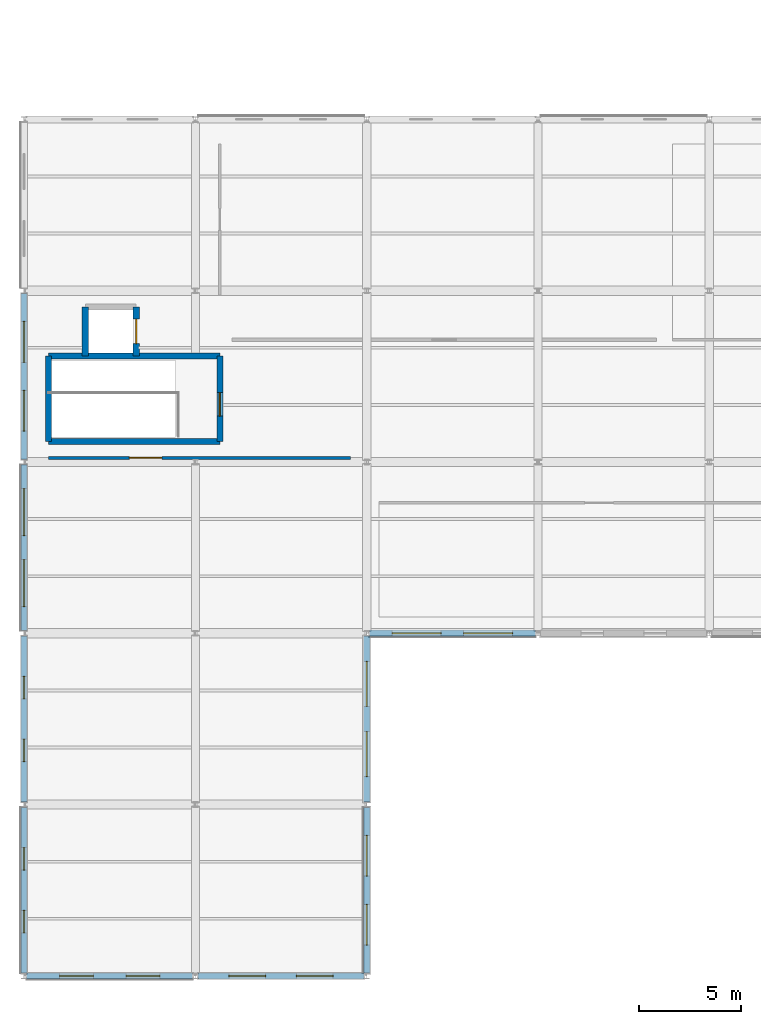
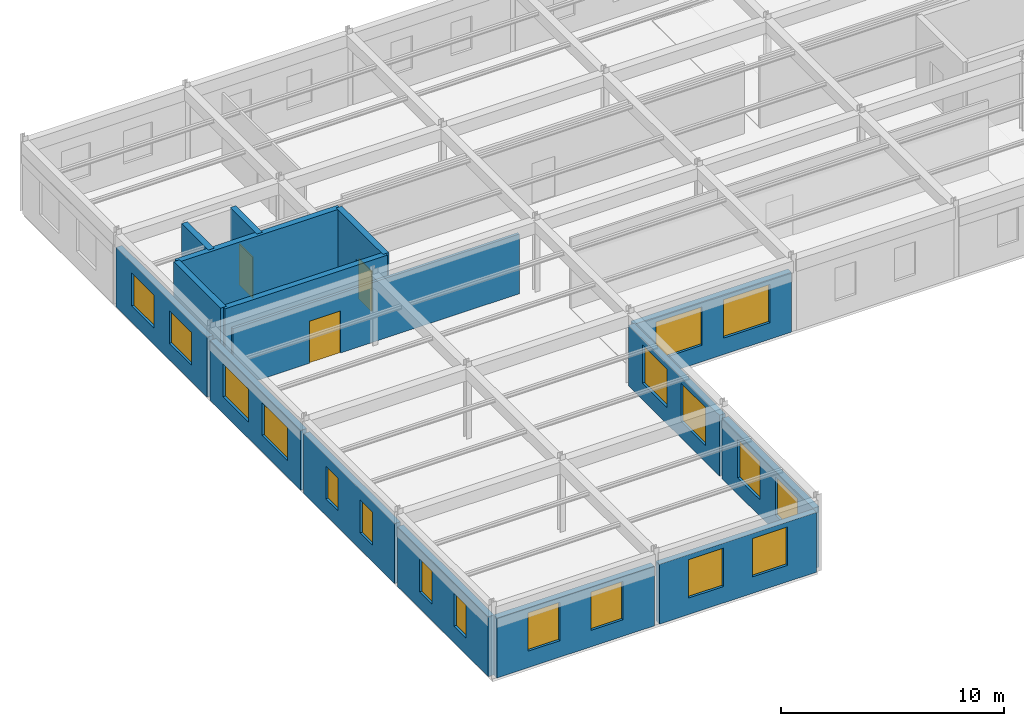
# One storey, part 66 of 83: 18 windows, 16 walls, 3 doors, 21 openings.
"""IFC4 building model written with IfcOpenShell, lengths in metres."""

from ifc_helpers import new_model, si_unit, direction, frame, frame_2d, origin, place, context, subcontext, project, spatial, rectangle, extrude, material, layer, layer_set, type_object, element, fill, save


model = new_model("IFC4")

# Units and contexts
model_context = context("Model", 3, precision=1e-05, world=origin(), true_north=direction((0.0, 1.0)))
body_context = subcontext(model_context, "Body", "Model", "MODEL_VIEW")
ifc_project = project(units=[si_unit("LENGTHUNIT", "METRE"), si_unit("AREAUNIT", "SQUARE_METRE"), si_unit("VOLUMEUNIT", "CUBIC_METRE"), si_unit("PLANEANGLEUNIT", "RADIAN"), si_unit("MASSUNIT", "GRAM", prefix="KILO"), si_unit("THERMODYNAMICTEMPERATUREUNIT", "KELVIN"), si_unit("POWERUNIT", "WATT")], contexts=[model_context])

# Site, building, storey
site_placement = place(None, origin())
site = spatial("IfcSite", under=ifc_project, at=site_placement, CompositionType="ELEMENT")
building_placement = place(site_placement, origin())
building = spatial("IfcBuilding", under=site, at=building_placement, Name="Darbajah Civic Hall", CompositionType="ELEMENT")
storey_placement = place(building_placement, frame((0.0, 0.0, 18.0)))
storey = spatial("IfcBuildingStorey", under=building, at=storey_placement, Name="L04", CompositionType="ELEMENT", Elevation=18.0)

# Wall
ifc_material_1 = material(Name="Concrete C45/55", Category="concrete")
ifc_layer_1 = layer(ifc_material_1, 0.300048828125, Name="Concrete C45/55")
ifc_layer_set_1 = layer_set([ifc_layer_1], Name="Concrete C45/55")
wall_type_1 = type_object("IfcWallType", Name="Core Shear Wall 300mm", PredefinedType="SHEAR", material=ifc_layer_set_1)
wall_1_placement = place(storey_placement, frame((1.199951171875, 26.199951171875, 0.0), z_axis=(0.0, 0.0, 1.0), x_axis=(1.0, 0.0, 0.0)))
element("IfcWall", 1, at=wall_1_placement, inside=storey, type_object=wall_type_1, Name="L04 core C10 shear wall S", PredefinedType="SHEAR", context=body_context, shape_type="SweptSolid", body=[
    extrude(rectangle(XDim=8.400146484375, YDim=0.300048828125, at=frame_2d((4.2001953125, 0.0))), origin(), (0.0, 0.0, 1.0), 3.919921875),
])

# Wall, opening, door
wall_2_placement = place(storey_placement, frame((9.60009765625, 26.199951171875, 0.0), z_axis=(0.0, 0.0, 1.0), x_axis=(0.0, 1.0, 0.0)))
wall_2 = element("IfcWall", 2, at=wall_2_placement, inside=storey, type_object=wall_type_1, Name="L04 core C10 shear wall E", PredefinedType="SHEAR", context=body_context, shape_type="SweptSolid", body=[
    extrude(rectangle(XDim=4.199951171875, YDim=0.300048828125, at=frame_2d((2.10009765625, 0.0))), origin(), (0.0, 0.0, 1.0), 3.919921875),
])
opening_1_placement = place(wall_2_placement, frame((1.25, 0.0, 0.0)))
opening_1 = element("IfcOpeningElement", 3, at=opening_1_placement, cuts=wall_2, Name="Opening SD-0113", PredefinedType="OPENING", context=body_context, shape_type="SweptSolid", body=[
    extrude(rectangle(XDim=1.14990234375, YDim=2.199951171875, at=frame_2d((0.574951171875, 1.10009765625))), frame((0.0, 0.159912109375, 0.0), z_axis=(0.0, -1.0, 0.0), x_axis=(1.0, 0.0, 0.0)), (0.0, 0.0, 1.0), 0.320068359375),
])
ifc_material_2 = material(Name="Steel Rated Core Door", Category="steel")
door_type_1 = type_object("IfcDoorType", Name="Interior Door 1150x2200", OperationType="NOTDEFINED", PredefinedType="DOOR", material=ifc_material_2)
door_1_placement = place(opening_1_placement, origin())
door_1 = element("IfcDoor", 4, at=door_1_placement, inside=storey, type_object=door_type_1, Name="L04 stair ST10 fire door SD-0113", OperationType="SINGLE_SWING_RIGHT", OverallHeight=2.199951171875, OverallWidth=1.14990234375, PredefinedType="DOOR", context=body_context, shape_type="SweptSolid", body=[
    extrude(rectangle(XDim=1.14990234375, YDim=2.199951171875, at=frame_2d((0.574951171875, 1.10009765625))), frame((0.0, 0.02490234375, 0.0), z_axis=(0.0, -1.0, 0.0), x_axis=(1.0, 0.0, 0.0)), (0.0, 0.0, 1.0), 0.050048828125),
])
fill(opening_1, door_1)

# Walls
wall_3_placement = place(storey_placement, frame((9.60009765625, 30.39990234375, 0.0), z_axis=(0.0, 0.0, 1.0), x_axis=(-1.0, 0.0, 0.0)))
element("IfcWall", 5, at=wall_3_placement, inside=storey, type_object=wall_type_1, Name="L04 core C10 shear wall N", PredefinedType="SHEAR", context=body_context, shape_type="SweptSolid", body=[
    extrude(rectangle(XDim=8.400146484375, YDim=0.300048828125, at=frame_2d((4.2001953125, 0.0))), origin(), (0.0, 0.0, 1.0), 3.919921875),
])
wall_4_placement = place(storey_placement, frame((1.199951171875, 30.39990234375, 0.0), z_axis=(0.0, 0.0, 1.0), x_axis=(0.0, -1.0, 0.0)))
element("IfcWall", 6, at=wall_4_placement, inside=storey, type_object=wall_type_1, Name="L04 core C10 shear wall W", PredefinedType="SHEAR", context=body_context, shape_type="SweptSolid", body=[
    extrude(rectangle(XDim=4.199951171875, YDim=0.300048828125, at=frame_2d((2.10009765625, 0.0))), origin(), (0.0, 0.0, 1.0), 3.919921875),
])
wall_5_placement = place(storey_placement, frame((3.0, 32.800048828125, 0.0), z_axis=(0.0, 0.0, 1.0), x_axis=(0.0, -1.0, 0.0)))
element("IfcWall", 7, at=wall_5_placement, inside=storey, type_object=wall_type_1, Name="L04 lift PL5 shaft wall W", PredefinedType="SHEAR", context=body_context, shape_type="SweptSolid", body=[
    extrude(rectangle(XDim=2.400146484375, YDim=0.300048828125, at=frame_2d((1.2001953125, 0.0))), origin(), (0.0, 0.0, 1.0), 3.919921875),
])

# Wall, opening, door
wall_6_placement = place(storey_placement, frame((5.5, 30.39990234375, 0.0), z_axis=(0.0, 0.0, 1.0), x_axis=(0.0, 1.0, 0.0)))
wall_6 = element("IfcWall", 8, at=wall_6_placement, inside=storey, type_object=wall_type_1, Name="L04 lift PL5 shaft wall E", PredefinedType="SHEAR", context=body_context, shape_type="SweptSolid", body=[
    extrude(rectangle(XDim=2.400146484375, YDim=0.300048828125, at=frame_2d((1.2001953125, 0.0))), origin(), (0.0, 0.0, 1.0), 3.919921875),
])
opening_2_placement = place(wall_6_placement, frame((0.60009765625, 0.0, 0.0)))
opening_2 = element("IfcOpeningElement", 9, at=opening_2_placement, cuts=wall_6, Name="Opening LD-0119", PredefinedType="OPENING", context=body_context, shape_type="SweptSolid", body=[
    extrude(rectangle(XDim=1.199951171875, YDim=2.25, at=frame_2d((0.60009765625, 1.125))), frame((0.0, 0.159912109375, 0.0), z_axis=(0.0, -1.0, 0.0), x_axis=(1.0, 0.0, 0.0)), (0.0, 0.0, 1.0), 0.320068359375),
])
ifc_material_3 = material(Name="Stainless Lift Landing Door")
door_type_2 = type_object("IfcDoorType", Name="Lift Landing Door 1200x2250", OperationType="SLIDING_TO_LEFT", PredefinedType="DOOR", material=ifc_material_3)
door_2_placement = place(opening_2_placement, origin())
door_2 = element("IfcDoor", 10, at=door_2_placement, inside=storey, type_object=door_type_2, Name="L04 lift PL5 landing door LD-0119", OperationType="SLIDING_TO_LEFT", OverallHeight=2.25, OverallWidth=1.199951171875, PredefinedType="DOOR", context=body_context, shape_type="SweptSolid", body=[
    extrude(rectangle(XDim=1.199951171875, YDim=2.25, at=frame_2d((0.60009765625, 1.125))), frame((0.0, 0.02490234375, 0.0), z_axis=(0.0, -1.0, 0.0), x_axis=(1.0, 0.0, 0.0)), (0.0, 0.0, 1.0), 0.050048828125),
])
fill(opening_2, door_2)

# Wall, openings, windows
ifc_material_4 = material(Name="Red Dholpur Sandstone Cladding", Category="masonry")
ifc_layer_2 = layer(ifc_material_4, 0.31005859375, Name="Red Dholpur Sandstone Cladding")
ifc_layer_set_2 = layer_set([ifc_layer_2], Name="Red Dholpur Sandstone Cladding")
wall_type_2 = type_object("IfcWallType", Name="Exterior Wall 310mm", PredefinedType="SOLIDWALL", material=ifc_layer_set_2)
wall_7_placement = place(storey_placement, frame((0.130126953125, 0.0, 0.0), z_axis=(0.0, 0.0, 1.0), x_axis=(1.0, 0.0, 0.0)))
wall_7 = element("IfcWall", 11, at=wall_7_placement, inside=storey, type_object=wall_type_2, Name="L04 exterior wall EW-310", PredefinedType="SOLIDWALL", context=body_context, shape_type="SweptSolid", body=[
    extrude(rectangle(XDim=8.139892578125, YDim=0.31005859375, at=frame_2d((4.06982421875, 0.0))), origin(), (0.0, 0.0, 1.0), 3.27001953125),
])
opening_3_placement = place(wall_7_placement, frame((1.61328125, 0.0, 0.89990234375)))
opening_3 = element("IfcOpeningElement", 12, at=opening_3_placement, cuts=wall_7, Name="Opening WN-04", PredefinedType="OPENING", context=body_context, shape_type="SweptSolid", body=[
    extrude(rectangle(XDim=1.64990234375, YDim=2.10009765625, at=frame_2d((0.824951171875, 1.050048828125))), frame((0.0, 0.1650390625, 0.0), z_axis=(0.0, -1.0, 0.0), x_axis=(1.0, 0.0, 0.0)), (0.0, 0.0, 1.0), 0.330078125),
])
opening_4_placement = place(wall_7_placement, frame((4.87646484375, 0.0, 0.89990234375)))
opening_4 = element("IfcOpeningElement", 13, at=opening_4_placement, cuts=wall_7, Name="Opening WN-04", PredefinedType="OPENING", context=body_context, shape_type="SweptSolid", body=[
    extrude(rectangle(XDim=1.64990234375, YDim=2.10009765625, at=frame_2d((0.824951171875, 1.050048828125))), frame((0.0, 0.1650390625, 0.0), z_axis=(0.0, -1.0, 0.0), x_axis=(1.0, 0.0, 0.0)), (0.0, 0.0, 1.0), 0.330078125),
])
ifc_material_5 = material(Name="Low-E Solar Control Double Glazing", Category="glass")
window_type_1 = type_object("IfcWindowType", Name="Facade Window 1650x2100", PartitioningType="DOUBLE_PANEL_VERTICAL", PredefinedType="WINDOW", material=ifc_material_5)
window_1_placement = place(opening_3_placement, origin())
window_1 = element("IfcWindow", 14, at=window_1_placement, inside=storey, type_object=window_type_1, Name="L04 facade window WN-04", OverallHeight=2.10009765625, OverallWidth=1.64990234375, PartitioningType="SINGLE_PANEL", PredefinedType="WINDOW", context=body_context, shape_type="SweptSolid", body=[
    extrude(rectangle(XDim=1.64990234375, YDim=2.10009765625, at=frame_2d((0.824951171875, 1.050048828125))), frame((0.0, 0.030029296875, 0.0), z_axis=(0.0, -1.0, 0.0), x_axis=(1.0, 0.0, 0.0)), (0.0, 0.0, 1.0), 0.06005859375),
])
fill(opening_3, window_1)
window_2_placement = place(opening_4_placement, origin())
window_2 = element("IfcWindow", 15, at=window_2_placement, inside=storey, type_object=window_type_1, Name="L04 facade window WN-04", OverallHeight=2.10009765625, OverallWidth=1.64990234375, PartitioningType="SINGLE_PANEL", PredefinedType="WINDOW", context=body_context, shape_type="SweptSolid", body=[
    extrude(rectangle(XDim=1.64990234375, YDim=2.10009765625, at=frame_2d((0.824951171875, 1.050048828125))), frame((0.0, 0.030029296875, 0.0), z_axis=(0.0, -1.0, 0.0), x_axis=(1.0, 0.0, 0.0)), (0.0, 0.0, 1.0), 0.06005859375),
])
fill(opening_4, window_2)

wall_8_placement = place(storey_placement, frame((8.530029296875, 0.0, 0.0), z_axis=(0.0, 0.0, 1.0), x_axis=(1.0, 0.0, 0.0)))
wall_8 = element("IfcWall", 16, at=wall_8_placement, inside=storey, type_object=wall_type_2, Name="L04 exterior wall EW-310", PredefinedType="SOLIDWALL", context=body_context, shape_type="SweptSolid", body=[
    extrude(rectangle(XDim=8.139892578125, YDim=0.31005859375, at=frame_2d((4.06982421875, 0.0))), origin(), (0.0, 0.0, 1.0), 3.27001953125),
])
opening_5_placement = place(wall_8_placement, frame((1.51318359375, 0.0, 0.89990234375)))
opening_5 = element("IfcOpeningElement", 17, at=opening_5_placement, cuts=wall_8, Name="Opening WN-05", PredefinedType="OPENING", context=body_context, shape_type="SweptSolid", body=[
    extrude(rectangle(XDim=1.800048828125, YDim=2.10009765625, at=frame_2d((0.89990234375, 1.050048828125))), frame((0.0, 0.1650390625, 0.0), z_axis=(0.0, -1.0, 0.0), x_axis=(1.0, 0.0, 0.0)), (0.0, 0.0, 1.0), 0.330078125),
])
opening_6_placement = place(wall_8_placement, frame((4.826416015625, 0.0, 0.89990234375)))
opening_6 = element("IfcOpeningElement", 18, at=opening_6_placement, cuts=wall_8, Name="Opening WN-05", PredefinedType="OPENING", context=body_context, shape_type="SweptSolid", body=[
    extrude(rectangle(XDim=1.800048828125, YDim=2.10009765625, at=frame_2d((0.89990234375, 1.050048828125))), frame((0.0, 0.1650390625, 0.0), z_axis=(0.0, -1.0, 0.0), x_axis=(1.0, 0.0, 0.0)), (0.0, 0.0, 1.0), 0.330078125),
])
window_type_2 = type_object("IfcWindowType", Name="Facade Window 1800x2100", PartitioningType="DOUBLE_PANEL_VERTICAL", PredefinedType="WINDOW", material=ifc_material_5)
window_3_placement = place(opening_5_placement, origin())
window_3 = element("IfcWindow", 19, at=window_3_placement, inside=storey, type_object=window_type_2, Name="L04 facade window WN-05", OverallHeight=2.10009765625, OverallWidth=1.800048828125, PartitioningType="SINGLE_PANEL", PredefinedType="WINDOW", context=body_context, shape_type="SweptSolid", body=[
    extrude(rectangle(XDim=1.800048828125, YDim=2.10009765625, at=frame_2d((0.89990234375, 1.050048828125))), frame((0.0, 0.030029296875, 0.0), z_axis=(0.0, -1.0, 0.0), x_axis=(1.0, 0.0, 0.0)), (0.0, 0.0, 1.0), 0.06005859375),
])
fill(opening_5, window_3)
window_4_placement = place(opening_6_placement, origin())
window_4 = element("IfcWindow", 20, at=window_4_placement, inside=storey, type_object=window_type_2, Name="L04 facade window WN-05", OverallHeight=2.10009765625, OverallWidth=1.800048828125, PartitioningType="SINGLE_PANEL", PredefinedType="WINDOW", context=body_context, shape_type="SweptSolid", body=[
    extrude(rectangle(XDim=1.800048828125, YDim=2.10009765625, at=frame_2d((0.89990234375, 1.050048828125))), frame((0.0, 0.030029296875, 0.0), z_axis=(0.0, -1.0, 0.0), x_axis=(1.0, 0.0, 0.0)), (0.0, 0.0, 1.0), 0.06005859375),
])
fill(opening_6, window_4)

wall_9_placement = place(storey_placement, frame((16.800048828125, 0.132080078125, 0.0), z_axis=(0.0, 0.0, 1.0), x_axis=(0.0, 1.0, 0.0)))
wall_9 = element("IfcWall", 21, at=wall_9_placement, inside=storey, type_object=wall_type_2, Name="L04 exterior wall EW-310", PredefinedType="SOLIDWALL", context=body_context, shape_type="SweptSolid", body=[
    extrude(rectangle(XDim=8.1357421875, YDim=0.31005859375, at=frame_2d((4.06787109375, 0.0))), origin(), (0.0, 0.0, 1.0), 3.320068359375),
])
opening_7_placement = place(wall_9_placement, frame((1.378662109375, 0.0, 0.89990234375)))
opening_7 = element("IfcOpeningElement", 22, at=opening_7_placement, cuts=wall_9, Name="Opening WN-06", PredefinedType="OPENING", context=body_context, shape_type="SweptSolid", body=[
    extrude(rectangle(XDim=2.0, YDim=2.10009765625, at=frame_2d((1.0, 1.050048828125))), frame((0.0, 0.1650390625, 0.0), z_axis=(0.0, -1.0, 0.0), x_axis=(1.0, 0.0, 0.0)), (0.0, 0.0, 1.0), 0.330078125),
])
opening_8_placement = place(wall_9_placement, frame((4.757080078125, 0.0, 0.89990234375)))
opening_8 = element("IfcOpeningElement", 23, at=opening_8_placement, cuts=wall_9, Name="Opening WN-06", PredefinedType="OPENING", context=body_context, shape_type="SweptSolid", body=[
    extrude(rectangle(XDim=2.0, YDim=2.10009765625, at=frame_2d((1.0, 1.050048828125))), frame((0.0, 0.1650390625, 0.0), z_axis=(0.0, -1.0, 0.0), x_axis=(1.0, 0.0, 0.0)), (0.0, 0.0, 1.0), 0.330078125),
])
window_type_3 = type_object("IfcWindowType", Name="Facade Window 2000x2100", PartitioningType="DOUBLE_PANEL_VERTICAL", PredefinedType="WINDOW", material=ifc_material_5)
window_5_placement = place(opening_7_placement, origin())
window_5 = element("IfcWindow", 24, at=window_5_placement, inside=storey, type_object=window_type_3, Name="L04 facade window WN-06", OverallHeight=2.10009765625, OverallWidth=2.0, PartitioningType="SINGLE_PANEL", PredefinedType="WINDOW", context=body_context, shape_type="SweptSolid", body=[
    extrude(rectangle(XDim=2.0, YDim=2.10009765625, at=frame_2d((1.0, 1.050048828125))), frame((0.0, 0.030029296875, 0.0), z_axis=(0.0, -1.0, 0.0), x_axis=(1.0, 0.0, 0.0)), (0.0, 0.0, 1.0), 0.06005859375),
])
fill(opening_7, window_5)
window_6_placement = place(opening_8_placement, origin())
window_6 = element("IfcWindow", 25, at=window_6_placement, inside=storey, type_object=window_type_3, Name="L04 facade window WN-06", OverallHeight=2.10009765625, OverallWidth=2.0, PartitioningType="SINGLE_PANEL", PredefinedType="WINDOW", context=body_context, shape_type="SweptSolid", body=[
    extrude(rectangle(XDim=2.0, YDim=2.10009765625, at=frame_2d((1.0, 1.050048828125))), frame((0.0, 0.030029296875, 0.0), z_axis=(0.0, -1.0, 0.0), x_axis=(1.0, 0.0, 0.0)), (0.0, 0.0, 1.0), 0.06005859375),
])
fill(opening_8, window_6)

wall_10_placement = place(storey_placement, frame((16.800048828125, 8.531982421875, 0.0), z_axis=(0.0, 0.0, 1.0), x_axis=(0.0, 1.0, 0.0)))
wall_10 = element("IfcWall", 26, at=wall_10_placement, inside=storey, type_object=wall_type_2, Name="L04 exterior wall EW-310", PredefinedType="SOLIDWALL", context=body_context, shape_type="SweptSolid", body=[
    extrude(rectangle(XDim=8.135986328125, YDim=0.31005859375, at=frame_2d((4.06787109375, 0.0))), origin(), (0.0, 0.0, 1.0), 3.320068359375),
])
opening_9_placement = place(wall_10_placement, frame((1.245361328125, 0.0, 0.89990234375)))
opening_9 = element("IfcOpeningElement", 27, at=opening_9_placement, cuts=wall_10, Name="Opening WN-07", PredefinedType="OPENING", context=body_context, shape_type="SweptSolid", body=[
    extrude(rectangle(XDim=2.199951171875, YDim=2.10009765625, at=frame_2d((1.10009765625, 1.050048828125))), frame((0.0, 0.1650390625, 0.0), z_axis=(0.0, -1.0, 0.0), x_axis=(1.0, 0.0, 0.0)), (0.0, 0.0, 1.0), 0.330078125),
])
opening_10_placement = place(wall_10_placement, frame((4.6904296875, 0.0, 0.89990234375)))
opening_10 = element("IfcOpeningElement", 28, at=opening_10_placement, cuts=wall_10, Name="Opening WN-07", PredefinedType="OPENING", context=body_context, shape_type="SweptSolid", body=[
    extrude(rectangle(XDim=2.199951171875, YDim=2.10009765625, at=frame_2d((1.10009765625, 1.050048828125))), frame((0.0, 0.1650390625, 0.0), z_axis=(0.0, -1.0, 0.0), x_axis=(1.0, 0.0, 0.0)), (0.0, 0.0, 1.0), 0.330078125),
])
window_type_4 = type_object("IfcWindowType", Name="Facade Window 2200x2100", PartitioningType="DOUBLE_PANEL_VERTICAL", PredefinedType="WINDOW", material=ifc_material_5)
window_7_placement = place(opening_9_placement, origin())
window_7 = element("IfcWindow", 29, at=window_7_placement, inside=storey, type_object=window_type_4, Name="L04 facade window WN-07", OverallHeight=2.10009765625, OverallWidth=2.199951171875, PartitioningType="SINGLE_PANEL", PredefinedType="WINDOW", context=body_context, shape_type="SweptSolid", body=[
    extrude(rectangle(XDim=2.199951171875, YDim=2.10009765625, at=frame_2d((1.10009765625, 1.050048828125))), frame((0.0, 0.030029296875, 0.0), z_axis=(0.0, -1.0, 0.0), x_axis=(1.0, 0.0, 0.0)), (0.0, 0.0, 1.0), 0.06005859375),
])
fill(opening_9, window_7)
window_8_placement = place(opening_10_placement, origin())
window_8 = element("IfcWindow", 30, at=window_8_placement, inside=storey, type_object=window_type_4, Name="L04 facade window WN-07", OverallHeight=2.10009765625, OverallWidth=2.199951171875, PartitioningType="SINGLE_PANEL", PredefinedType="WINDOW", context=body_context, shape_type="SweptSolid", body=[
    extrude(rectangle(XDim=2.199951171875, YDim=2.10009765625, at=frame_2d((1.10009765625, 1.050048828125))), frame((0.0, 0.030029296875, 0.0), z_axis=(0.0, -1.0, 0.0), x_axis=(1.0, 0.0, 0.0)), (0.0, 0.0, 1.0), 0.06005859375),
])
fill(opening_10, window_8)

wall_11_placement = place(storey_placement, frame((16.93017578125, 16.800048828125, 0.0), z_axis=(0.0, 0.0, 1.0), x_axis=(1.0, 0.0, 0.0)))
wall_11 = element("IfcWall", 31, at=wall_11_placement, inside=storey, type_object=wall_type_2, Name="L04 exterior wall EW-310", PredefinedType="SOLIDWALL", context=body_context, shape_type="SweptSolid", body=[
    extrude(rectangle(XDim=8.1396484375, YDim=0.31005859375, at=frame_2d((4.06982421875, 0.0))), origin(), (0.0, 0.0, 1.0), 3.27001953125),
])
opening_11_placement = place(wall_11_placement, frame((1.11328125, 0.0, 0.89990234375)))
opening_11 = element("IfcOpeningElement", 32, at=opening_11_placement, cuts=wall_11, Name="Opening WN-08", PredefinedType="OPENING", context=body_context, shape_type="SweptSolid", body=[
    extrude(rectangle(XDim=2.39990234375, YDim=2.10009765625, at=frame_2d((1.199951171875, 1.050048828125))), frame((0.0, 0.1650390625, 0.0), z_axis=(0.0, -1.0, 0.0), x_axis=(1.0, 0.0, 0.0)), (0.0, 0.0, 1.0), 0.330078125),
])
opening_12_placement = place(wall_11_placement, frame((4.62646484375, 0.0, 0.89990234375)))
opening_12 = element("IfcOpeningElement", 33, at=opening_12_placement, cuts=wall_11, Name="Opening WN-08", PredefinedType="OPENING", context=body_context, shape_type="SweptSolid", body=[
    extrude(rectangle(XDim=2.39990234375, YDim=2.10009765625, at=frame_2d((1.199951171875, 1.050048828125))), frame((0.0, 0.1650390625, 0.0), z_axis=(0.0, -1.0, 0.0), x_axis=(1.0, 0.0, 0.0)), (0.0, 0.0, 1.0), 0.330078125),
])
window_type_5 = type_object("IfcWindowType", Name="Facade Window 2400x2100", PartitioningType="DOUBLE_PANEL_VERTICAL", PredefinedType="WINDOW", material=ifc_material_5)
window_9_placement = place(opening_11_placement, origin())
window_9 = element("IfcWindow", 34, at=window_9_placement, inside=storey, type_object=window_type_5, Name="L04 facade window WN-08", OverallHeight=2.10009765625, OverallWidth=2.39990234375, PartitioningType="SINGLE_PANEL", PredefinedType="WINDOW", context=body_context, shape_type="SweptSolid", body=[
    extrude(rectangle(XDim=2.39990234375, YDim=2.10009765625, at=frame_2d((1.199951171875, 1.050048828125))), frame((0.0, 0.030029296875, 0.0), z_axis=(0.0, -1.0, 0.0), x_axis=(1.0, 0.0, 0.0)), (0.0, 0.0, 1.0), 0.06005859375),
])
fill(opening_11, window_9)
window_10_placement = place(opening_12_placement, origin())
window_10 = element("IfcWindow", 35, at=window_10_placement, inside=storey, type_object=window_type_5, Name="L04 facade window WN-08", OverallHeight=2.10009765625, OverallWidth=2.39990234375, PartitioningType="SINGLE_PANEL", PredefinedType="WINDOW", context=body_context, shape_type="SweptSolid", body=[
    extrude(rectangle(XDim=2.39990234375, YDim=2.10009765625, at=frame_2d((1.199951171875, 1.050048828125))), frame((0.0, 0.030029296875, 0.0), z_axis=(0.0, -1.0, 0.0), x_axis=(1.0, 0.0, 0.0)), (0.0, 0.0, 1.0), 0.06005859375),
])
fill(opening_12, window_10)

wall_12_placement = place(storey_placement, frame((0.0, 33.468017578125, 0.0), z_axis=(0.0, 0.0, 1.0), x_axis=(0.0, -1.0, 0.0)))
wall_12 = element("IfcWall", 36, at=wall_12_placement, inside=storey, type_object=wall_type_2, Name="L04 exterior wall EW-310", PredefinedType="SOLIDWALL", context=body_context, shape_type="SweptSolid", body=[
    extrude(rectangle(XDim=8.135986328125, YDim=0.31005859375, at=frame_2d((4.06787109375, 0.0))), origin(), (0.0, 0.0, 1.0), 3.27001953125),
])
opening_13_placement = place(wall_12_placement, frame((1.378662109375, 0.0, 0.89990234375)))
opening_13 = element("IfcOpeningElement", 37, at=opening_13_placement, cuts=wall_12, Name="Opening WN-21", PredefinedType="OPENING", context=body_context, shape_type="SweptSolid", body=[
    extrude(rectangle(XDim=2.0, YDim=1.800048828125, at=frame_2d((1.0, 0.89990234375))), frame((0.0, 0.1650390625, 0.0), z_axis=(0.0, -1.0, 0.0), x_axis=(1.0, 0.0, 0.0)), (0.0, 0.0, 1.0), 0.330078125),
])
opening_14_placement = place(wall_12_placement, frame((4.757080078125, 0.0, 0.89990234375)))
opening_14 = element("IfcOpeningElement", 38, at=opening_14_placement, cuts=wall_12, Name="Opening WN-21", PredefinedType="OPENING", context=body_context, shape_type="SweptSolid", body=[
    extrude(rectangle(XDim=2.0, YDim=1.800048828125, at=frame_2d((1.0, 0.89990234375))), frame((0.0, 0.1650390625, 0.0), z_axis=(0.0, -1.0, 0.0), x_axis=(1.0, 0.0, 0.0)), (0.0, 0.0, 1.0), 0.330078125),
])
window_type_6 = type_object("IfcWindowType", Name="Facade Window 2000x1800", PartitioningType="DOUBLE_PANEL_VERTICAL", PredefinedType="WINDOW", material=ifc_material_5)
window_11_placement = place(opening_13_placement, origin())
window_11 = element("IfcWindow", 39, at=window_11_placement, inside=storey, type_object=window_type_6, Name="L04 facade window WN-21", OverallHeight=1.800048828125, OverallWidth=2.0, PartitioningType="SINGLE_PANEL", PredefinedType="WINDOW", context=body_context, shape_type="SweptSolid", body=[
    extrude(rectangle(XDim=2.0, YDim=1.800048828125, at=frame_2d((1.0, 0.89990234375))), frame((0.0, 0.030029296875, 0.0), z_axis=(0.0, -1.0, 0.0), x_axis=(1.0, 0.0, 0.0)), (0.0, 0.0, 1.0), 0.06005859375),
])
fill(opening_13, window_11)
window_12_placement = place(opening_14_placement, origin())
window_12 = element("IfcWindow", 40, at=window_12_placement, inside=storey, type_object=window_type_6, Name="L04 facade window WN-21", OverallHeight=1.800048828125, OverallWidth=2.0, PartitioningType="SINGLE_PANEL", PredefinedType="WINDOW", context=body_context, shape_type="SweptSolid", body=[
    extrude(rectangle(XDim=2.0, YDim=1.800048828125, at=frame_2d((1.0, 0.89990234375))), frame((0.0, 0.030029296875, 0.0), z_axis=(0.0, -1.0, 0.0), x_axis=(1.0, 0.0, 0.0)), (0.0, 0.0, 1.0), 0.06005859375),
])
fill(opening_14, window_12)

wall_13_placement = place(storey_placement, frame((0.0, 25.06787109375, 0.0), z_axis=(0.0, 0.0, 1.0), x_axis=(0.0, -1.0, 0.0)))
wall_13 = element("IfcWall", 41, at=wall_13_placement, inside=storey, type_object=wall_type_2, Name="L04 exterior wall EW-310", PredefinedType="SOLIDWALL", context=body_context, shape_type="SweptSolid", body=[
    extrude(rectangle(XDim=8.1357421875, YDim=0.31005859375, at=frame_2d((4.06787109375, 0.0))), origin(), (0.0, 0.0, 1.0), 3.27001953125),
])
opening_15_placement = place(wall_13_placement, frame((1.1787109375, 0.0, 0.89990234375)))
opening_15 = element("IfcOpeningElement", 42, at=opening_15_placement, cuts=wall_13, Name="Opening WN-22", PredefinedType="OPENING", context=body_context, shape_type="SweptSolid", body=[
    extrude(rectangle(XDim=2.300048828125, YDim=1.800048828125, at=frame_2d((1.14990234375, 0.89990234375))), frame((0.0, 0.1650390625, 0.0), z_axis=(0.0, -1.0, 0.0), x_axis=(1.0, 0.0, 0.0)), (0.0, 0.0, 1.0), 0.330078125),
])
opening_16_placement = place(wall_13_placement, frame((4.6572265625, 0.0, 0.89990234375)))
opening_16 = element("IfcOpeningElement", 43, at=opening_16_placement, cuts=wall_13, Name="Opening WN-22", PredefinedType="OPENING", context=body_context, shape_type="SweptSolid", body=[
    extrude(rectangle(XDim=2.300048828125, YDim=1.800048828125, at=frame_2d((1.14990234375, 0.89990234375))), frame((0.0, 0.1650390625, 0.0), z_axis=(0.0, -1.0, 0.0), x_axis=(1.0, 0.0, 0.0)), (0.0, 0.0, 1.0), 0.330078125),
])
window_type_7 = type_object("IfcWindowType", Name="Facade Window 2300x1800", PartitioningType="DOUBLE_PANEL_VERTICAL", PredefinedType="WINDOW", material=ifc_material_5)
window_13_placement = place(opening_15_placement, origin())
window_13 = element("IfcWindow", 44, at=window_13_placement, inside=storey, type_object=window_type_7, Name="L04 facade window WN-22", OverallHeight=1.800048828125, OverallWidth=2.300048828125, PartitioningType="SINGLE_PANEL", PredefinedType="WINDOW", context=body_context, shape_type="SweptSolid", body=[
    extrude(rectangle(XDim=2.300048828125, YDim=1.800048828125, at=frame_2d((1.14990234375, 0.89990234375))), frame((0.0, 0.030029296875, 0.0), z_axis=(0.0, -1.0, 0.0), x_axis=(1.0, 0.0, 0.0)), (0.0, 0.0, 1.0), 0.06005859375),
])
fill(opening_15, window_13)
window_14_placement = place(opening_16_placement, origin())
window_14 = element("IfcWindow", 45, at=window_14_placement, inside=storey, type_object=window_type_7, Name="L04 facade window WN-22", OverallHeight=1.800048828125, OverallWidth=2.300048828125, PartitioningType="SINGLE_PANEL", PredefinedType="WINDOW", context=body_context, shape_type="SweptSolid", body=[
    extrude(rectangle(XDim=2.300048828125, YDim=1.800048828125, at=frame_2d((1.14990234375, 0.89990234375))), frame((0.0, 0.030029296875, 0.0), z_axis=(0.0, -1.0, 0.0), x_axis=(1.0, 0.0, 0.0)), (0.0, 0.0, 1.0), 0.06005859375),
])
fill(opening_16, window_14)

wall_14_placement = place(storey_placement, frame((0.0, 16.66796875, 0.0), z_axis=(0.0, 0.0, 1.0), x_axis=(0.0, -1.0, 0.0)))
wall_14 = element("IfcWall", 46, at=wall_14_placement, inside=storey, type_object=wall_type_2, Name="L04 exterior wall EW-310", PredefinedType="SOLIDWALL", context=body_context, shape_type="SweptSolid", body=[
    extrude(rectangle(XDim=8.135986328125, YDim=0.31005859375, at=frame_2d((4.06787109375, 0.0))), origin(), (0.0, 0.0, 1.0), 3.27001953125),
])
opening_17_placement = place(wall_14_placement, frame((1.978515625, 0.0, 0.89990234375)))
opening_17 = element("IfcOpeningElement", 47, at=opening_17_placement, cuts=wall_14, Name="Opening WN-17", PredefinedType="OPENING", context=body_context, shape_type="SweptSolid", body=[
    extrude(rectangle(XDim=1.10009765625, YDim=1.800048828125, at=frame_2d((0.550048828125, 0.89990234375))), frame((0.0, 0.1650390625, 0.0), z_axis=(0.0, -1.0, 0.0), x_axis=(1.0, 0.0, 0.0)), (0.0, 0.0, 1.0), 0.330078125),
])
opening_18_placement = place(wall_14_placement, frame((5.05712890625, 0.0, 0.89990234375)))
opening_18 = element("IfcOpeningElement", 48, at=opening_18_placement, cuts=wall_14, Name="Opening WN-17", PredefinedType="OPENING", context=body_context, shape_type="SweptSolid", body=[
    extrude(rectangle(XDim=1.10009765625, YDim=1.800048828125, at=frame_2d((0.550048828125, 0.89990234375))), frame((0.0, 0.1650390625, 0.0), z_axis=(0.0, -1.0, 0.0), x_axis=(1.0, 0.0, 0.0)), (0.0, 0.0, 1.0), 0.330078125),
])
window_type_8 = type_object("IfcWindowType", Name="Facade Window 1100x1800", PartitioningType="SINGLE_PANEL", PredefinedType="WINDOW", material=ifc_material_5)
window_15_placement = place(opening_17_placement, origin())
window_15 = element("IfcWindow", 49, at=window_15_placement, inside=storey, type_object=window_type_8, Name="L04 facade window WN-17", OverallHeight=1.800048828125, OverallWidth=1.10009765625, PartitioningType="SINGLE_PANEL", PredefinedType="WINDOW", context=body_context, shape_type="SweptSolid", body=[
    extrude(rectangle(XDim=1.10009765625, YDim=1.800048828125, at=frame_2d((0.550048828125, 0.89990234375))), frame((0.0, 0.030029296875, 0.0), z_axis=(0.0, -1.0, 0.0), x_axis=(1.0, 0.0, 0.0)), (0.0, 0.0, 1.0), 0.06005859375),
])
fill(opening_17, window_15)
window_16_placement = place(opening_18_placement, origin())
window_16 = element("IfcWindow", 50, at=window_16_placement, inside=storey, type_object=window_type_8, Name="L04 facade window WN-17", OverallHeight=1.800048828125, OverallWidth=1.10009765625, PartitioningType="SINGLE_PANEL", PredefinedType="WINDOW", context=body_context, shape_type="SweptSolid", body=[
    extrude(rectangle(XDim=1.10009765625, YDim=1.800048828125, at=frame_2d((0.550048828125, 0.89990234375))), frame((0.0, 0.030029296875, 0.0), z_axis=(0.0, -1.0, 0.0), x_axis=(1.0, 0.0, 0.0)), (0.0, 0.0, 1.0), 0.06005859375),
])
fill(opening_18, window_16)

wall_15_placement = place(storey_placement, frame((0.0, 8.267822265625, 0.0), z_axis=(0.0, 0.0, 1.0), x_axis=(0.0, -1.0, 0.0)))
wall_15 = element("IfcWall", 51, at=wall_15_placement, inside=storey, type_object=wall_type_2, Name="L04 exterior wall EW-310", PredefinedType="SOLIDWALL", context=body_context, shape_type="SweptSolid", body=[
    extrude(rectangle(XDim=8.1357421875, YDim=0.31005859375, at=frame_2d((4.06787109375, 0.0))), origin(), (0.0, 0.0, 1.0), 3.27001953125),
])
opening_19_placement = place(wall_15_placement, frame((1.978515625, 0.0, 0.89990234375)))
opening_19 = element("IfcOpeningElement", 52, at=opening_19_placement, cuts=wall_15, Name="Opening WN-17", PredefinedType="OPENING", context=body_context, shape_type="SweptSolid", body=[
    extrude(rectangle(XDim=1.10009765625, YDim=1.800048828125, at=frame_2d((0.550048828125, 0.89990234375))), frame((0.0, 0.1650390625, 0.0), z_axis=(0.0, -1.0, 0.0), x_axis=(1.0, 0.0, 0.0)), (0.0, 0.0, 1.0), 0.330078125),
])
opening_20_placement = place(wall_15_placement, frame((5.05712890625, 0.0, 0.89990234375)))
opening_20 = element("IfcOpeningElement", 53, at=opening_20_placement, cuts=wall_15, Name="Opening WN-17", PredefinedType="OPENING", context=body_context, shape_type="SweptSolid", body=[
    extrude(rectangle(XDim=1.10009765625, YDim=1.800048828125, at=frame_2d((0.550048828125, 0.89990234375))), frame((0.0, 0.1650390625, 0.0), z_axis=(0.0, -1.0, 0.0), x_axis=(1.0, 0.0, 0.0)), (0.0, 0.0, 1.0), 0.330078125),
])
window_17_placement = place(opening_19_placement, origin())
window_17 = element("IfcWindow", 54, at=window_17_placement, inside=storey, type_object=window_type_8, Name="L04 facade window WN-17", OverallHeight=1.800048828125, OverallWidth=1.10009765625, PartitioningType="SINGLE_PANEL", PredefinedType="WINDOW", context=body_context, shape_type="SweptSolid", body=[
    extrude(rectangle(XDim=1.10009765625, YDim=1.800048828125, at=frame_2d((0.550048828125, 0.89990234375))), frame((0.0, 0.030029296875, 0.0), z_axis=(0.0, -1.0, 0.0), x_axis=(1.0, 0.0, 0.0)), (0.0, 0.0, 1.0), 0.06005859375),
])
fill(opening_19, window_17)
window_18_placement = place(opening_20_placement, origin())
window_18 = element("IfcWindow", 55, at=window_18_placement, inside=storey, type_object=window_type_8, Name="L04 facade window WN-17", OverallHeight=1.800048828125, OverallWidth=1.10009765625, PartitioningType="SINGLE_PANEL", PredefinedType="WINDOW", context=body_context, shape_type="SweptSolid", body=[
    extrude(rectangle(XDim=1.10009765625, YDim=1.800048828125, at=frame_2d((0.550048828125, 0.89990234375))), frame((0.0, 0.030029296875, 0.0), z_axis=(0.0, -1.0, 0.0), x_axis=(1.0, 0.0, 0.0)), (0.0, 0.0, 1.0), 0.06005859375),
])
fill(opening_20, window_18)

# Wall, opening, door
ifc_material_6 = material(Name="Gypsum Plasterboard on Steel Stud", Category="steel")
ifc_layer_3 = layer(ifc_material_6, 0.135009765625, Name="Gypsum Plasterboard on Steel Stud")
ifc_layer_set_3 = layer_set([ifc_layer_3], Name="Gypsum Plasterboard on Steel Stud")
wall_type_3 = type_object("IfcWallType", Name="Interior Partition 135mm", PredefinedType="PARTITIONING", material=ifc_layer_set_3)
wall_16_placement = place(storey_placement, frame((1.199951171875, 25.39990234375, 0.0), z_axis=(0.0, 0.0, 1.0), x_axis=(1.0, 0.0, 0.0)))
wall_16 = element("IfcWall", 56, at=wall_16_placement, inside=storey, type_object=wall_type_3, Name="L04 interior partition L04-V5-01", PredefinedType="PARTITIONING", context=body_context, shape_type="SweptSolid", body=[
    extrude(rectangle(XDim=14.800048828125, YDim=0.135009765625, at=frame_2d((7.39990234375, 0.0))), origin(), (0.0, 0.0, 1.0), 3.27001953125),
])
opening_21_placement = place(wall_16_placement, frame((3.9599609375, 0.0, 0.0)))
opening_21 = element("IfcOpeningElement", 57, at=opening_21_placement, cuts=wall_16, Name="Opening D-0252", PredefinedType="OPENING", context=body_context, shape_type="SweptSolid", body=[
    extrude(rectangle(XDim=1.60009765625, YDim=2.300048828125, at=frame_2d((0.800048828125, 1.14990234375))), frame((0.0, 0.077392578125, 0.0), z_axis=(0.0, -1.0, 0.0), x_axis=(1.0, 0.0, 0.0)), (0.0, 0.0, 1.0), 0.155029296875),
])
ifc_material_7 = material(Name="Painted Hardwood Fire Door", Category="wood")
door_type_3 = type_object("IfcDoorType", Name="Interior Door 1600x2300", OperationType="NOTDEFINED", PredefinedType="DOOR", material=ifc_material_7)
door_3_placement = place(opening_21_placement, origin())
door_3 = element("IfcDoor", 58, at=door_3_placement, inside=storey, type_object=door_type_3, Name="L04 L04-V5-01 door D-0252", OperationType="DOUBLE_DOOR_SINGLE_SWING", OverallHeight=2.300048828125, OverallWidth=1.60009765625, PredefinedType="DOOR", context=body_context, shape_type="SweptSolid", body=[
    extrude(rectangle(XDim=1.60009765625, YDim=2.300048828125, at=frame_2d((0.800048828125, 1.14990234375))), frame((0.0, 0.02490234375, 0.0), z_axis=(0.0, -1.0, 0.0), x_axis=(1.0, 0.0, 0.0)), (0.0, 0.0, 1.0), 0.050048828125),
])
fill(opening_21, door_3)

save(model, "model.ifc")
